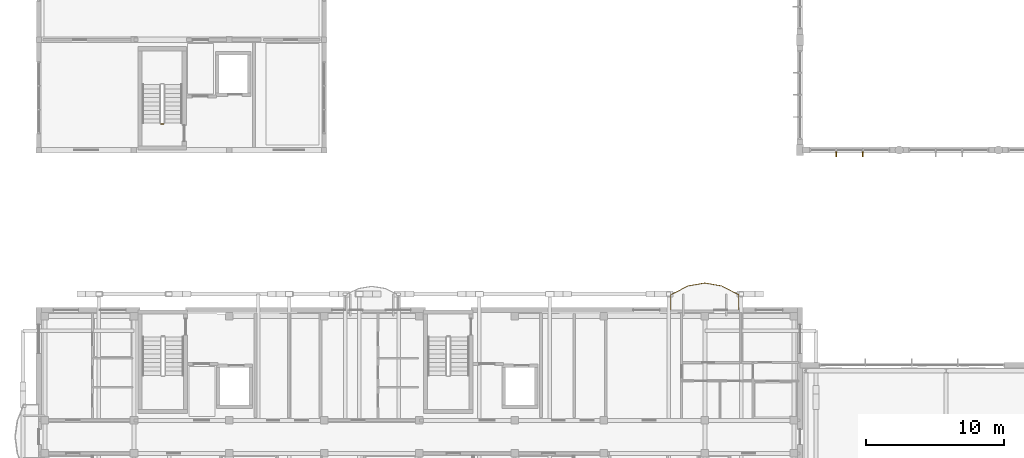
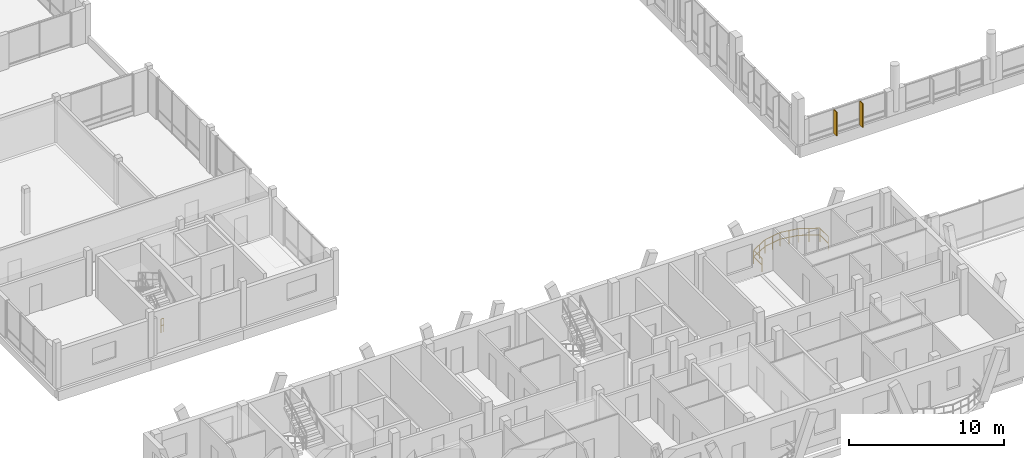
# One storey, part 171 of 189: 2 railings, 2 shading devices.
"""IFC4 building model written with IfcOpenShell, lengths in metres."""

import ifcopenshell
import ifcopenshell.guid

model = None  # the IFC model being written
_history = None  # IfcOwnerHistory: only IFC2X3 demands one
_inside = {}  # id of a spatial element -> (the spatial element, [elements in it])
_under = {}  # id of a project, library or spatial element -> (it, [spatial elements below it])
_declared = {}  # id of a project -> (the project, [libraries it declares])
_typed = {}  # id of a type object -> (the type object, [elements of that type])
_made_of = {}  # id of a material, layer set ... -> (it, [elements and type objects made of it])


def new_model(schema):
    """Start an empty IFC model of exactly this schema.

    Asked for "IFC4X3", IfcOpenShell would pick the latest addendum, in which some entities
    have other attributes; the version numbers below select the first issue.
    IFC2X3 requires an IfcOwnerHistory on every rooted entity: one is made here for all.
    """
    global model, _history
    if schema == "IFC4X3":
        model = ifcopenshell.file(schema_version=(4, 3, 0, 0))
    else:
        model = ifcopenshell.file(schema=schema)
    _inside.clear()
    _under.clear()
    _declared.clear()
    _typed.clear()
    _made_of.clear()
    _history = None
    if model.schema == "IFC2X3":
        org = make("IfcOrganization", Name="unknown")
        user = make(
            "IfcPersonAndOrganization",
            ThePerson=make("IfcPerson", FamilyName="unknown"),
            TheOrganization=org,
        )
        app = make(
            "IfcApplication",
            ApplicationDeveloper=org,
            Version="unknown",
            ApplicationFullName="unknown",
            ApplicationIdentifier="unknown",
        )
        _history = make(
            "IfcOwnerHistory",
            OwningUser=user,
            OwningApplication=app,
            ChangeAction="ADDED",
            CreationDate=0,
        )
    return model


def make(cls, **values):
    """One entity of the class cls with the attributes given. An attribute that is None is left unset."""
    return model.create_entity(
        cls, **{name: value for name, value in values.items() if value is not None}
    )


def rooted(cls, **values):
    """An entity with a GlobalId (a new one), such as an element, a storey or a relation."""
    return make(cls, GlobalId=ifcopenshell.guid.new(), OwnerHistory=_history, **values)


def si_unit(unit_type, name, prefix=None):
    """IfcSIUnit, for example si_unit("LENGTHUNIT", "METRE", prefix="MILLI")."""
    return make("IfcSIUnit", UnitType=unit_type, Prefix=prefix, Name=name)


def assignment(units):
    """IfcUnitAssignment: the units of a project."""
    return None if units is None else make("IfcUnitAssignment", Units=units)


def point(xyz):
    """IfcCartesianPoint."""
    return None if xyz is None else make("IfcCartesianPoint", Coordinates=xyz)


def direction(xyz):
    """IfcDirection."""
    return None if xyz is None else make("IfcDirection", DirectionRatios=xyz)


def frame(location, z_axis=None, x_axis=None):
    """IfcAxis2Placement3D, a coordinate frame: its origin and axes. An axis left out is left unset."""
    return make(
        "IfcAxis2Placement3D",
        Location=point(location),
        Axis=direction(z_axis),
        RefDirection=direction(x_axis),
    )


def frame_2d(location, x_axis=None):
    """IfcAxis2Placement2D, a coordinate frame in the plane: its origin and x axis."""
    return make(
        "IfcAxis2Placement2D", Location=point(location), RefDirection=direction(x_axis)
    )


def origin():
    """The frame at (0, 0, 0) with its axes left unset."""
    return frame((0.0, 0.0, 0.0))


def origin_2d():
    """The frame at (0, 0) in the plane with its x axis left unset."""
    return frame_2d((0.0, 0.0))


def place(relative_to, where):
    """IfcLocalPlacement: puts the frame where relative to a parent placement (None: the world)."""
    return make(
        "IfcLocalPlacement", PlacementRelTo=relative_to, RelativePlacement=where
    )


def context(
    kind, dimensions, precision=None, world=None, true_north=None, identifier=None
):
    """IfcGeometricRepresentationContext, for example the 3D "Model" context."""
    return make(
        "IfcGeometricRepresentationContext",
        ContextIdentifier=identifier,
        ContextType=kind,
        CoordinateSpaceDimension=dimensions,
        Precision=precision,
        WorldCoordinateSystem=world,
        TrueNorth=true_north,
    )


def subcontext(parent, identifier, kind, view, scale=None):
    """IfcGeometricRepresentationSubContext, for example "Body" below "Model"."""
    return make(
        "IfcGeometricRepresentationSubContext",
        ContextIdentifier=identifier,
        ContextType=kind,
        ParentContext=parent,
        TargetScale=scale,
        TargetView=view,
    )


def project(units=None, contexts=None):
    """IfcProject with its units and contexts."""
    return rooted(
        "IfcProject",
        Name="project",
        RepresentationContexts=contexts,
        UnitsInContext=assignment(units),
    )


def spatial(cls, under=None, at=None, **own):
    """A site, building, storey or space (cls), placed at a placement, below another one or the project."""
    s = rooted(cls, ObjectPlacement=at, **own)
    if under is not None:
        _under.setdefault(under.id(), (under, []))[1].append(s)
    return s


def profile(cls, at=None, kind="AREA", **sizes):
    """A parametric profile (cls). Its sizes go by their IFC names, for example OverallWidth=200.0."""
    return make(cls, ProfileType=kind, Position=at, **sizes)


def rectangle(**sizes):
    """IfcRectangleProfileDef."""
    return profile("IfcRectangleProfileDef", **sizes)


def extrude(swept, where, along, depth):
    """IfcExtrudedAreaSolid: the profile swept, set in the frame where, extruded along a direction by depth."""
    return make(
        "IfcExtrudedAreaSolid",
        SweptArea=swept,
        Position=where,
        ExtrudedDirection=direction(along),
        Depth=depth,
    )


def shape(context_of_items, identifier, shape_type, items):
    """IfcShapeRepresentation: the items that make up one representation, for example the "Body"."""
    return make(
        "IfcShapeRepresentation",
        ContextOfItems=context_of_items,
        RepresentationIdentifier=identifier,
        RepresentationType=shape_type,
        Items=items,
    )


def material(Name=None, Category=None):
    """IfcMaterial."""
    return make("IfcMaterial", Name=Name, Category=Category)


def made_of(thing, what):
    """Note that an element or type object is made of a material, layer set ...; save() writes the relation."""
    if what is not None:
        _made_of.setdefault(what.id(), (what, []))[1].append(thing)
    return thing


def type_object(cls, material=None, **own):
    """A type object (cls), such as IfcWallType, which elements share."""
    return made_of(rooted(cls, **own), material)


def element(
    cls,
    number,
    at=None,
    inside=None,
    cuts=None,
    type_object=None,
    material=None,
    context=None,
    identifier="Body",
    shape_type=None,
    held_by="IfcProductDefinitionShape",
    body=None,
    shapes=None,
    **own,
):
    """One element of the class cls, such as IfcWall. Its Tag is "e" and its number.

    at: its placement. inside: the storey or other place that contains it. cuts: it is an
    opening in that element (IfcRelVoidsElement). A single representation is given by context,
    identifier, shape_type and body (its items); several are given by shapes. held_by: the class
    of the entity that holds the representations. save() writes the other relations.
    """
    e = rooted(cls, Tag="e%d" % number, ObjectPlacement=at, **own)
    if body is not None:
        shapes = [shape(context, identifier, shape_type, body)]
    if shapes is not None:
        e.Representation = make(held_by, Representations=shapes)
    if inside is not None:
        _inside.setdefault(inside.id(), (inside, []))[1].append(e)
    if cuts is not None:
        rooted(
            "IfcRelVoidsElement", RelatingBuildingElement=cuts, RelatedOpeningElement=e
        )
    if type_object is not None:
        _typed.setdefault(type_object.id(), (type_object, []))[1].append(e)
    return made_of(e, material)


def aggregate(whole, parts):
    """IfcRelAggregates: a whole, such as a stair, and the parts it consists of."""
    return rooted("IfcRelAggregates", RelatingObject=whole, RelatedObjects=parts)


def save(model, path):
    """Write the relations noted so far, then the file.

    IfcRelAggregates (storeys below a building ...), IfcRelContainedInSpatialStructure (elements
    in a storey), IfcRelDefinesByType, IfcRelAssociatesMaterial and IfcRelDeclares: one each for
    every whole, place, type object, material and project.
    """
    for whole, parts in _under.values():
        aggregate(whole, parts)
    for where, things in _inside.values():
        rooted(
            "IfcRelContainedInSpatialStructure",
            RelatedElements=things,
            RelatingStructure=where,
        )
    for kind, things in _typed.values():
        rooted("IfcRelDefinesByType", RelatedObjects=things, RelatingType=kind)
    for what, things in _made_of.values():
        rooted("IfcRelAssociatesMaterial", RelatedObjects=things, RelatingMaterial=what)
    for by, libraries in _declared.values():
        rooted("IfcRelDeclares", RelatingContext=by, RelatedDefinitions=libraries)
    model.write(path)


model = new_model("IFC4")

# Units and contexts
model_context = context("Model", 3, precision=1e-05, world=origin(), true_north=direction((0.0, 1.0)))
body_context = subcontext(model_context, "Body", "Model", "MODEL_VIEW")
ifc_project = project(units=[si_unit("LENGTHUNIT", "METRE"), si_unit("AREAUNIT", "SQUARE_METRE"), si_unit("VOLUMEUNIT", "CUBIC_METRE"), si_unit("PLANEANGLEUNIT", "RADIAN"), si_unit("MASSUNIT", "GRAM", prefix="KILO")], contexts=[model_context])

# Site, building, storey
site_placement = place(None, origin())
site = spatial("IfcSite", under=ifc_project, at=site_placement, CompositionType="ELEMENT")
building_placement = place(site_placement, origin())
building = spatial("IfcBuilding", under=site, at=building_placement, Name="Zavelmont Quarter", CompositionType="ELEMENT")
storey_placement = place(building_placement, frame((0.0, 0.0, 4.39990234375)))
storey = spatial("IfcBuildingStorey", under=building, at=storey_placement, Name="L01", CompositionType="ELEMENT", Elevation=4.39990234375)

# Railings
ifc_material_1 = material(Name="Powder-coated steel and tempered double safety glass", Category="steel")
railing_type_1 = type_object("IfcRailingType", Name="RL-BAL1", PredefinedType="BALUSTRADE", material=ifc_material_1)
railing_1_placement = place(storey_placement, frame((50.767333984375, 18.419921875, 0.0)))
element("IfcRailing", 1, at=railing_1_placement, inside=storey, type_object=railing_type_1, Name="L01 Block A curved balcony guard RL-BAL1", PredefinedType="BALUSTRADE", context=body_context, shape_type="SweptSolid", body=[
    extrude(rectangle(XDim=0.048095703125, YDim=0.048095703125, at=origin_2d()), frame((0.0, 0.0, 1.076171875), z_axis=(0.0, 1.0, 0.0), x_axis=(-1.0, 0.0, 0.0)), (0.0, 0.0, 1.0), 1.08056640625),
    extrude(rectangle(XDim=0.048095703125, YDim=0.048095703125, at=origin_2d()), frame((0.0, 0.0, 0.550048828125), z_axis=(0.0, 1.0, 0.0), x_axis=(-1.0, 0.0, 0.0)), (0.0, 0.0, 1.0), 1.08056640625),
    extrude(rectangle(XDim=0.048095703125, YDim=0.048095703125, at=origin_2d()), frame((0.0, 1.08056640625, 1.076171875), z_axis=(-0.885241030164, 0.465132581652, 0.0), x_axis=(-0.465132581652, -0.885241030164, 0.0)), (0.0, 0.0, 1.0), 1.3935546875),
    extrude(rectangle(XDim=0.048095703125, YDim=0.048095703125, at=origin_2d()), frame((0.0, 1.08056640625, 0.550048828125), z_axis=(-0.885241030164, 0.465132581652, 0.0), x_axis=(-0.465132581652, -0.885241030164, 0.0)), (0.0, 0.0, 1.0), 1.3935546875),
    extrude(rectangle(XDim=0.048095703125, YDim=0.048095703125, at=origin_2d()), frame((-1.233642578125, 1.728759765625, 1.076171875), z_axis=(-0.984973317655, 0.172706582118, 0.0), x_axis=(-0.172706582118, -0.984973317655, 0.0)), (0.0, 0.0, 1.0), 1.25244140625),
    extrude(rectangle(XDim=0.048095703125, YDim=0.048095703125, at=origin_2d()), frame((-1.233642578125, 1.728759765625, 0.550048828125), z_axis=(-0.984973317655, 0.172706582118, 0.0), x_axis=(-0.172706582118, -0.984973317655, 0.0)), (0.0, 0.0, 1.0), 1.25244140625),
    extrude(rectangle(XDim=0.048095703125, YDim=0.048095703125, at=origin_2d()), frame((-2.46728515625, 1.945068359375, 1.076171875), z_axis=(-0.984973317655, -0.172706582118, 0.0), x_axis=(0.172706582118, -0.984973317655, 0.0)), (0.0, 0.0, 1.0), 1.25244140625),
    extrude(rectangle(XDim=0.048095703125, YDim=0.048095703125, at=origin_2d()), frame((-2.46728515625, 1.945068359375, 0.550048828125), z_axis=(-0.984973317655, -0.172706582118, 0.0), x_axis=(0.172706582118, -0.984973317655, 0.0)), (0.0, 0.0, 1.0), 1.25244140625),
    extrude(rectangle(XDim=0.048095703125, YDim=0.048095703125, at=origin_2d()), frame((-3.700927734375, 1.728759765625, 1.076171875), z_axis=(-0.885241030164, -0.465132581652, 0.0), x_axis=(0.465132581652, -0.885241030164, 0.0)), (0.0, 0.0, 1.0), 1.3935546875),
    extrude(rectangle(XDim=0.048095703125, YDim=0.048095703125, at=origin_2d()), frame((-3.700927734375, 1.728759765625, 0.550048828125), z_axis=(-0.885241030164, -0.465132581652, 0.0), x_axis=(0.465132581652, -0.885241030164, 0.0)), (0.0, 0.0, 1.0), 1.3935546875),
    extrude(rectangle(XDim=0.048095703125, YDim=0.048095703125, at=origin_2d()), frame((-4.9345703125, 1.08056640625, 1.076171875), z_axis=(0.0, -1.0, 0.0), x_axis=(1.0, 0.0, 0.0)), (0.0, 0.0, 1.0), 1.08056640625),
    extrude(rectangle(XDim=0.048095703125, YDim=0.048095703125, at=origin_2d()), frame((-4.9345703125, 1.08056640625, 0.550048828125), z_axis=(0.0, -1.0, 0.0), x_axis=(1.0, 0.0, 0.0)), (0.0, 0.0, 1.0), 1.08056640625),
    extrude(rectangle(XDim=0.0419921875, YDim=0.0419921875, at=origin_2d()), origin(), (0.0, 0.0, 1.0), 1.052001953125),
    extrude(rectangle(XDim=0.0419921875, YDim=0.0419921875, at=origin_2d()), frame((0.0, 1.08056640625, 0.0)), (0.0, 0.0, 1.0), 1.052001953125),
    extrude(rectangle(XDim=0.0419921875, YDim=0.0419921875, at=origin_2d()), frame((-0.61669921875, 1.40478515625, 0.0)), (0.0, 0.0, 1.0), 1.052001953125),
    extrude(rectangle(XDim=0.0419921875, YDim=0.0419921875, at=origin_2d()), frame((-1.233642578125, 1.728759765625, 0.0)), (0.0, 0.0, 1.0), 1.052001953125),
    extrude(rectangle(XDim=0.0419921875, YDim=0.0419921875, at=origin_2d()), frame((-1.8505859375, 1.8369140625, 0.0)), (0.0, 0.0, 1.0), 1.052001953125),
    extrude(rectangle(XDim=0.0419921875, YDim=0.0419921875, at=origin_2d()), frame((-2.46728515625, 1.945068359375, 0.0)), (0.0, 0.0, 1.0), 1.052001953125),
    extrude(rectangle(XDim=0.0419921875, YDim=0.0419921875, at=origin_2d()), frame((-3.083984375, 1.8369140625, 0.0)), (0.0, 0.0, 1.0), 1.052001953125),
    extrude(rectangle(XDim=0.0419921875, YDim=0.0419921875, at=origin_2d()), frame((-3.700927734375, 1.728759765625, 0.0)), (0.0, 0.0, 1.0), 1.052001953125),
    extrude(rectangle(XDim=0.0419921875, YDim=0.0419921875, at=origin_2d()), frame((-4.31787109375, 1.40478515625, 0.0)), (0.0, 0.0, 1.0), 1.052001953125),
    extrude(rectangle(XDim=0.0419921875, YDim=0.0419921875, at=origin_2d()), frame((-4.9345703125, 1.08056640625, 0.0)), (0.0, 0.0, 1.0), 1.052001953125),
    extrude(rectangle(XDim=0.0419921875, YDim=0.0419921875, at=origin_2d()), frame((-4.9345703125, 0.0, 0.0)), (0.0, 0.0, 1.0), 1.052001953125),
])
ifc_material_2 = material(Name="Powder-coated steel stair guardrail", Category="steel")
railing_type_2 = type_object("IfcRailingType", Name="RL-GRD1", PredefinedType="GUARDRAIL", material=ifc_material_2)
railing_2_placement = place(storey_placement, frame((9.050048828125, 31.89990234375, 0.0)))
element("IfcRailing", 2, at=railing_2_placement, inside=storey, type_object=railing_type_2, Name="L01 ST13 stair guardrail 4", PredefinedType="GUARDRAIL", context=body_context, shape_type="SweptSolid", body=[
    extrude(rectangle(XDim=0.048095703125, YDim=0.048095703125, at=origin_2d()), frame((0.0, 0.0, 1.076171875), z_axis=(-1.0, 0.0, 0.0), x_axis=(0.0, -1.0, 0.0)), (0.0, 0.0, 1.0), 0.199951171875),
    extrude(rectangle(XDim=0.048095703125, YDim=0.048095703125, at=origin_2d()), frame((0.0, 0.0, 0.550048828125), z_axis=(-1.0, 0.0, 0.0), x_axis=(0.0, -1.0, 0.0)), (0.0, 0.0, 1.0), 0.199951171875),
    extrude(rectangle(XDim=0.0419921875, YDim=0.0419921875, at=origin_2d()), origin(), (0.0, 0.0, 1.0), 1.052001953125),
    extrude(rectangle(XDim=0.0419921875, YDim=0.0419921875, at=origin_2d()), frame((-0.199951171875, 0.0, 0.0)), (0.0, 0.0, 1.0), 1.052001953125),
])

# Shading devices
ifc_material_3 = material(Name="Anodised aluminium EN AW-6063-T6", Category="aluminium")
shading_device_type = type_object("IfcShadingDeviceType", Name="SD06", PredefinedType="JALOUSIE", material=ifc_material_3)
for number, where, z_axis, x_axis, name in (
    (3, (57.833251953125, 29.719970703125, -0.22998046875), (0.0, 0.0, 1.0), (1.0, 0.0, 0.0), "L01 solar brise-soleil fin SD06"),
    (4, (59.7666015625, 29.719970703125, -0.22998046875), (0.0, 0.0, 1.0), (1.0, 0.0, 0.0), "L01 solar brise-soleil fin SD06"),
):
    element("IfcShadingDevice", number, at=place(storey_placement, frame(where, z_axis=z_axis, x_axis=x_axis)), inside=storey, type_object=shading_device_type, Name=name, PredefinedType="JALOUSIE", context=body_context, shape_type="SweptSolid", body=[
        extrude(rectangle(XDim=0.070068359375, YDim=0.3798828125, at=origin_2d()), origin(), (0.0, 0.0, 1.0), 1.875),
    ])

save(model, "model.ifc")
